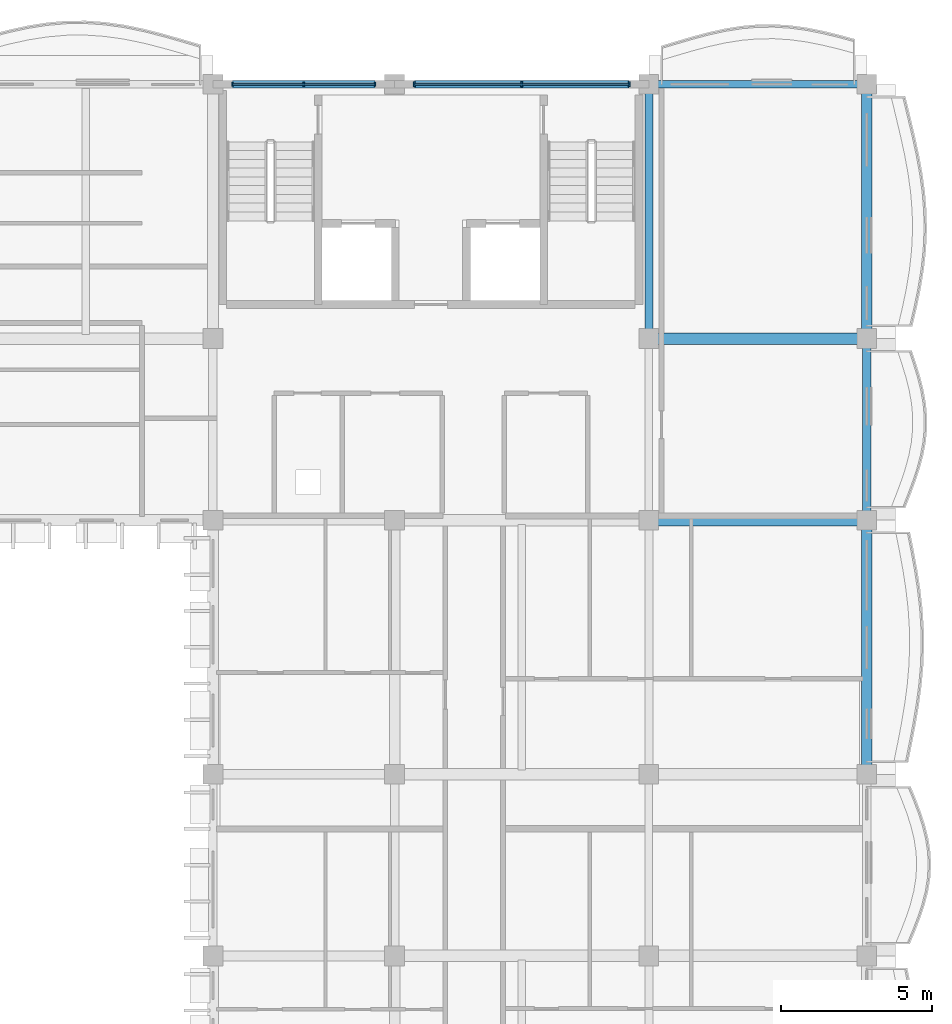
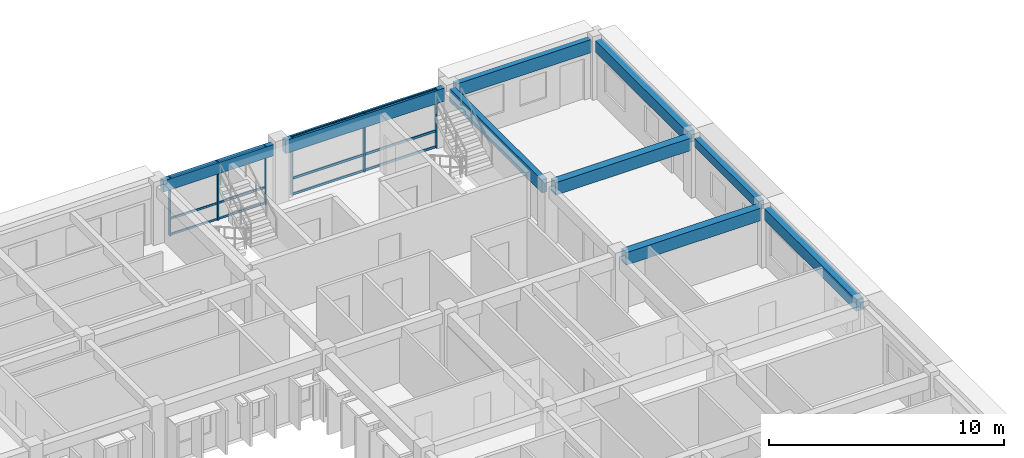
# One storey, part 31 of 101: 12 members, 9 beams, 2 elements without a shape of their own.
"""IFC4 building model written with IfcOpenShell, lengths in metres."""

import ifcopenshell
import ifcopenshell.guid

model = None  # the IFC model being written
_history = None  # IfcOwnerHistory: only IFC2X3 demands one
_inside = {}  # id of a spatial element -> (the spatial element, [elements in it])
_under = {}  # id of a project, library or spatial element -> (it, [spatial elements below it])
_declared = {}  # id of a project -> (the project, [libraries it declares])
_typed = {}  # id of a type object -> (the type object, [elements of that type])
_made_of = {}  # id of a material, layer set ... -> (it, [elements and type objects made of it])


def new_model(schema):
    """Start an empty IFC model of exactly this schema.

    Asked for "IFC4X3", IfcOpenShell would pick the latest addendum, in which some entities
    have other attributes; the version numbers below select the first issue.
    IFC2X3 requires an IfcOwnerHistory on every rooted entity: one is made here for all.
    """
    global model, _history
    if schema == "IFC4X3":
        model = ifcopenshell.file(schema_version=(4, 3, 0, 0))
    else:
        model = ifcopenshell.file(schema=schema)
    _inside.clear()
    _under.clear()
    _declared.clear()
    _typed.clear()
    _made_of.clear()
    _history = None
    if model.schema == "IFC2X3":
        org = make("IfcOrganization", Name="unknown")
        user = make(
            "IfcPersonAndOrganization",
            ThePerson=make("IfcPerson", FamilyName="unknown"),
            TheOrganization=org,
        )
        app = make(
            "IfcApplication",
            ApplicationDeveloper=org,
            Version="unknown",
            ApplicationFullName="unknown",
            ApplicationIdentifier="unknown",
        )
        _history = make(
            "IfcOwnerHistory",
            OwningUser=user,
            OwningApplication=app,
            ChangeAction="ADDED",
            CreationDate=0,
        )
    return model


def make(cls, **values):
    """One entity of the class cls with the attributes given. An attribute that is None is left unset."""
    return model.create_entity(
        cls, **{name: value for name, value in values.items() if value is not None}
    )


def rooted(cls, **values):
    """An entity with a GlobalId (a new one), such as an element, a storey or a relation."""
    return make(cls, GlobalId=ifcopenshell.guid.new(), OwnerHistory=_history, **values)


def si_unit(unit_type, name, prefix=None):
    """IfcSIUnit, for example si_unit("LENGTHUNIT", "METRE", prefix="MILLI")."""
    return make("IfcSIUnit", UnitType=unit_type, Prefix=prefix, Name=name)


def assignment(units):
    """IfcUnitAssignment: the units of a project."""
    return None if units is None else make("IfcUnitAssignment", Units=units)


def point(xyz):
    """IfcCartesianPoint."""
    return None if xyz is None else make("IfcCartesianPoint", Coordinates=xyz)


def direction(xyz):
    """IfcDirection."""
    return None if xyz is None else make("IfcDirection", DirectionRatios=xyz)


def frame(location, z_axis=None, x_axis=None):
    """IfcAxis2Placement3D, a coordinate frame: its origin and axes. An axis left out is left unset."""
    return make(
        "IfcAxis2Placement3D",
        Location=point(location),
        Axis=direction(z_axis),
        RefDirection=direction(x_axis),
    )


def frame_2d(location, x_axis=None):
    """IfcAxis2Placement2D, a coordinate frame in the plane: its origin and x axis."""
    return make(
        "IfcAxis2Placement2D", Location=point(location), RefDirection=direction(x_axis)
    )


def origin():
    """The frame at (0, 0, 0) with its axes left unset."""
    return frame((0.0, 0.0, 0.0))


def origin_2d():
    """The frame at (0, 0) in the plane with its x axis left unset."""
    return frame_2d((0.0, 0.0))


def place(relative_to, where):
    """IfcLocalPlacement: puts the frame where relative to a parent placement (None: the world)."""
    return make(
        "IfcLocalPlacement", PlacementRelTo=relative_to, RelativePlacement=where
    )


def context(
    kind, dimensions, precision=None, world=None, true_north=None, identifier=None
):
    """IfcGeometricRepresentationContext, for example the 3D "Model" context."""
    return make(
        "IfcGeometricRepresentationContext",
        ContextIdentifier=identifier,
        ContextType=kind,
        CoordinateSpaceDimension=dimensions,
        Precision=precision,
        WorldCoordinateSystem=world,
        TrueNorth=true_north,
    )


def subcontext(parent, identifier, kind, view, scale=None):
    """IfcGeometricRepresentationSubContext, for example "Body" below "Model"."""
    return make(
        "IfcGeometricRepresentationSubContext",
        ContextIdentifier=identifier,
        ContextType=kind,
        ParentContext=parent,
        TargetScale=scale,
        TargetView=view,
    )


def project(units=None, contexts=None):
    """IfcProject with its units and contexts."""
    return rooted(
        "IfcProject",
        Name="project",
        RepresentationContexts=contexts,
        UnitsInContext=assignment(units),
    )


def spatial(cls, under=None, at=None, **own):
    """A site, building, storey or space (cls), placed at a placement, below another one or the project."""
    s = rooted(cls, ObjectPlacement=at, **own)
    if under is not None:
        _under.setdefault(under.id(), (under, []))[1].append(s)
    return s


def profile(cls, at=None, kind="AREA", **sizes):
    """A parametric profile (cls). Its sizes go by their IFC names, for example OverallWidth=200.0."""
    return make(cls, ProfileType=kind, Position=at, **sizes)


def rectangle(**sizes):
    """IfcRectangleProfileDef."""
    return profile("IfcRectangleProfileDef", **sizes)


def extrude(swept, where, along, depth):
    """IfcExtrudedAreaSolid: the profile swept, set in the frame where, extruded along a direction by depth."""
    return make(
        "IfcExtrudedAreaSolid",
        SweptArea=swept,
        Position=where,
        ExtrudedDirection=direction(along),
        Depth=depth,
    )


def shape(context_of_items, identifier, shape_type, items):
    """IfcShapeRepresentation: the items that make up one representation, for example the "Body"."""
    return make(
        "IfcShapeRepresentation",
        ContextOfItems=context_of_items,
        RepresentationIdentifier=identifier,
        RepresentationType=shape_type,
        Items=items,
    )


def material(Name=None, Category=None):
    """IfcMaterial."""
    return make("IfcMaterial", Name=Name, Category=Category)


def material_profile(
    of_material, cross_section, Name=None, Category=None, Priority=None
):
    """IfcMaterialProfile: a cross section and its material."""
    return make(
        "IfcMaterialProfile",
        Name=Name,
        Material=of_material,
        Profile=cross_section,
        Priority=Priority,
        Category=Category,
    )


def profile_set(profiles, Name=None, composite=None):
    """IfcMaterialProfileSet."""
    return make(
        "IfcMaterialProfileSet",
        Name=Name,
        MaterialProfiles=profiles,
        CompositeProfile=composite,
    )


def made_of(thing, what):
    """Note that an element or type object is made of a material, layer set ...; save() writes the relation."""
    if what is not None:
        _made_of.setdefault(what.id(), (what, []))[1].append(thing)
    return thing


def type_object(cls, material=None, **own):
    """A type object (cls), such as IfcWallType, which elements share."""
    return made_of(rooted(cls, **own), material)


def element(
    cls,
    number,
    at=None,
    inside=None,
    cuts=None,
    type_object=None,
    material=None,
    context=None,
    identifier="Body",
    shape_type=None,
    held_by="IfcProductDefinitionShape",
    body=None,
    shapes=None,
    **own,
):
    """One element of the class cls, such as IfcWall. Its Tag is "e" and its number.

    at: its placement. inside: the storey or other place that contains it. cuts: it is an
    opening in that element (IfcRelVoidsElement). A single representation is given by context,
    identifier, shape_type and body (its items); several are given by shapes. held_by: the class
    of the entity that holds the representations. save() writes the other relations.
    """
    e = rooted(cls, Tag="e%d" % number, ObjectPlacement=at, **own)
    if body is not None:
        shapes = [shape(context, identifier, shape_type, body)]
    if shapes is not None:
        e.Representation = make(held_by, Representations=shapes)
    if inside is not None:
        _inside.setdefault(inside.id(), (inside, []))[1].append(e)
    if cuts is not None:
        rooted(
            "IfcRelVoidsElement", RelatingBuildingElement=cuts, RelatedOpeningElement=e
        )
    if type_object is not None:
        _typed.setdefault(type_object.id(), (type_object, []))[1].append(e)
    return made_of(e, material)


def aggregate(whole, parts):
    """IfcRelAggregates: a whole, such as a stair, and the parts it consists of."""
    return rooted("IfcRelAggregates", RelatingObject=whole, RelatedObjects=parts)


def save(model, path):
    """Write the relations noted so far, then the file.

    IfcRelAggregates (storeys below a building ...), IfcRelContainedInSpatialStructure (elements
    in a storey), IfcRelDefinesByType, IfcRelAssociatesMaterial and IfcRelDeclares: one each for
    every whole, place, type object, material and project.
    """
    for whole, parts in _under.values():
        aggregate(whole, parts)
    for where, things in _inside.values():
        rooted(
            "IfcRelContainedInSpatialStructure",
            RelatedElements=things,
            RelatingStructure=where,
        )
    for kind, things in _typed.values():
        rooted("IfcRelDefinesByType", RelatedObjects=things, RelatingType=kind)
    for what, things in _made_of.values():
        rooted("IfcRelAssociatesMaterial", RelatedObjects=things, RelatingMaterial=what)
    for by, libraries in _declared.values():
        rooted("IfcRelDeclares", RelatingContext=by, RelatedDefinitions=libraries)
    model.write(path)


model = new_model("IFC4")

# Units and contexts
model_context = context("Model", 3, precision=1e-05, world=origin(), true_north=direction((0.0, 1.0)))
body_context = subcontext(model_context, "Body", "Model", "MODEL_VIEW")
ifc_project = project(units=[si_unit("LENGTHUNIT", "METRE"), si_unit("AREAUNIT", "SQUARE_METRE"), si_unit("VOLUMEUNIT", "CUBIC_METRE"), si_unit("PLANEANGLEUNIT", "RADIAN"), si_unit("MASSUNIT", "GRAM", prefix="KILO"), si_unit("THERMODYNAMICTEMPERATUREUNIT", "KELVIN")], contexts=[model_context])

# Site, building, storey
site_placement = place(None, origin())
site = spatial("IfcSite", under=ifc_project, at=site_placement, CompositionType="ELEMENT")
building_placement = place(site_placement, origin())
building = spatial("IfcBuilding", under=site, at=building_placement, Name="Thalorik Housing Commons", CompositionType="ELEMENT")
storey_placement = place(building_placement, frame((0.0, 0.0, 8.10009765625)))
storey = spatial("IfcBuildingStorey", under=building, at=storey_placement, Name="L02", CompositionType="ELEMENT", Elevation=8.10009765625)

# Curtain wall, members
ifc_material_1 = material(Name="Anodised aluminium and solar-control low-E glass", Category="aluminium")
curtain_wall_type = type_object("IfcCurtainWallType", Name="ARC-CW-CORE", PredefinedType="USERDEFINED", material=ifc_material_1)
curtain_wall_1_placement = place(storey_placement, origin())
curtain_wall_1 = element("IfcCurtainWall", 1, at=curtain_wall_1_placement, inside=storey, type_object=curtain_wall_type, Name="L02 Curtain Wall CW-CORE-L02-B-080", ObjectType="CURTAIN WALL", PredefinedType="USERDEFINED")
ifc_material_2 = material(Name="Anodised aluminium 6063-T6", Category="aluminium")
ifc_material_profile_1 = material_profile(ifc_material_2, rectangle(XDim=0.054931640625, YDim=0.139892578125, at=origin_2d()), Name="ALU MUL 55x140", Category="aluminium")
ifc_profile_set_1 = profile_set([ifc_material_profile_1], Name="Anodised aluminium 6063-T6")
member_type_1 = type_object("IfcMemberType", Name="ARC-CW-MUL-55x140", PredefinedType="MULLION", material=ifc_profile_set_1)
member_1_placement = place(storey_placement, frame((157.75, 123.60009765625, 0.0), z_axis=(0.0, 0.0, 1.0), x_axis=(-1.0, 0.0, 0.0)))
member_1 = element("IfcMember", 2, at=member_1_placement, type_object=member_type_1, Name="CW-CORE-L02-B-080 Mullion 1", PredefinedType="MULLION", context=body_context, shape_type="SweptSolid", body=[
    extrude(rectangle(XDim=0.054931640625, YDim=0.139892578125, at=origin_2d()), origin(), (0.0, 0.0, 1.0), 3.039794921875),
])
member_2_placement = place(storey_placement, frame((155.39990234375, 123.60009765625, 0.0), z_axis=(0.0, 0.0, 1.0), x_axis=(-1.0, 0.0, 0.0)))
member_2 = element("IfcMember", 3, at=member_2_placement, type_object=member_type_1, Name="CW-CORE-L02-B-080 Mullion 2", PredefinedType="MULLION", context=body_context, shape_type="SweptSolid", body=[
    extrude(rectangle(XDim=0.054931640625, YDim=0.139892578125, at=origin_2d()), origin(), (0.0, 0.0, 1.0), 3.039794921875),
])
member_3_placement = place(storey_placement, frame((153.050048828125, 123.60009765625, 0.0), z_axis=(0.0, 0.0, 1.0), x_axis=(-1.0, 0.0, 0.0)))
member_3 = element("IfcMember", 4, at=member_3_placement, type_object=member_type_1, Name="CW-CORE-L02-B-080 Mullion 3", PredefinedType="MULLION", context=body_context, shape_type="SweptSolid", body=[
    extrude(rectangle(XDim=0.054931640625, YDim=0.139892578125, at=origin_2d()), origin(), (0.0, 0.0, 1.0), 3.039794921875),
])

curtain_wall_2_placement = place(storey_placement, origin())
curtain_wall_2 = element("IfcCurtainWall", 5, at=curtain_wall_2_placement, inside=storey, type_object=curtain_wall_type, Name="L02 Curtain Wall CW-CORE-L02-B-079", ObjectType="CURTAIN WALL", PredefinedType="USERDEFINED")
ifc_material_profile_2 = material_profile(ifc_material_2, rectangle(XDim=0.06005859375, YDim=0.159912109375, at=origin_2d()), Name="ALU MUL 60x160", Category="aluminium")
ifc_profile_set_2 = profile_set([ifc_material_profile_2], Name="Anodised aluminium 6063-T6")
member_type_2 = type_object("IfcMemberType", Name="ARC-CW-MUL-60x160", PredefinedType="MULLION", material=ifc_profile_set_2)
member_4_placement = place(storey_placement, frame((166.14990234375, 123.60009765625, 0.0), z_axis=(0.0, 0.0, 1.0), x_axis=(-1.0, 0.0, 0.0)))
member_4 = element("IfcMember", 6, at=member_4_placement, type_object=member_type_2, Name="CW-CORE-L02-B-079 Mullion 1", PredefinedType="MULLION", context=body_context, shape_type="SweptSolid", body=[
    extrude(rectangle(XDim=0.06005859375, YDim=0.159912109375, at=origin_2d()), origin(), (0.0, 0.0, 1.0), 3.039794921875),
])
member_5_placement = place(storey_placement, frame((162.60009765625, 123.60009765625, 0.0), z_axis=(0.0, 0.0, 1.0), x_axis=(-1.0, 0.0, 0.0)))
member_5 = element("IfcMember", 7, at=member_5_placement, type_object=member_type_2, Name="CW-CORE-L02-B-079 Mullion 2", PredefinedType="MULLION", context=body_context, shape_type="SweptSolid", body=[
    extrude(rectangle(XDim=0.06005859375, YDim=0.159912109375, at=origin_2d()), origin(), (0.0, 0.0, 1.0), 3.039794921875),
])
member_6_placement = place(storey_placement, frame((159.050048828125, 123.60009765625, 0.0), z_axis=(0.0, 0.0, 1.0), x_axis=(-1.0, 0.0, 0.0)))
member_6 = element("IfcMember", 8, at=member_6_placement, type_object=member_type_2, Name="CW-CORE-L02-B-079 Mullion 3", PredefinedType="MULLION", context=body_context, shape_type="SweptSolid", body=[
    extrude(rectangle(XDim=0.06005859375, YDim=0.159912109375, at=origin_2d()), origin(), (0.0, 0.0, 1.0), 3.039794921875),
])

# Member
ifc_material_profile_3 = material_profile(ifc_material_2, rectangle(XDim=0.054931640625, YDim=0.10498046875, at=origin_2d()), Name="ALU TRN 55x105", Category="aluminium")
ifc_profile_set_3 = profile_set([ifc_material_profile_3], Name="Anodised aluminium 6063-T6")
member_type_3 = type_object("IfcMemberType", Name="ARC-CW-TRN-55x105", PredefinedType="USERDEFINED", material=ifc_profile_set_3)
member_7_placement = place(storey_placement, frame((157.75, 123.60009765625, 0.054931640625), z_axis=(-1.0, 0.0, 0.0), x_axis=(0.0, -1.0, 0.0)))
member_7 = element("IfcMember", 9, at=member_7_placement, type_object=member_type_3, Name="CW-CORE-L02-B-080 Transom 1", ObjectType="TRANSOM", PredefinedType="USERDEFINED", context=body_context, shape_type="SweptSolid", body=[
    extrude(rectangle(XDim=0.054931640625, YDim=0.10498046875, at=origin_2d()), origin(), (0.0, 0.0, 1.0), 4.699951171875),
])

member_8_placement = place(storey_placement, frame((157.75, 123.60009765625, 0.8798828125), z_axis=(-1.0, 0.0, 0.0), x_axis=(0.0, -1.0, 0.0)))
member_8 = element("IfcMember", 10, at=member_8_placement, type_object=member_type_3, Name="CW-CORE-L02-B-080 Transom 2", ObjectType="TRANSOM", PredefinedType="USERDEFINED", context=body_context, shape_type="SweptSolid", body=[
    extrude(rectangle(XDim=0.054931640625, YDim=0.10498046875, at=origin_2d()), origin(), (0.0, 0.0, 1.0), 4.699951171875),
])

member_9_placement = place(storey_placement, frame((157.75, 123.60009765625, 2.98486328125), z_axis=(-1.0, 0.0, 0.0), x_axis=(0.0, -1.0, 0.0)))
member_9 = element("IfcMember", 11, at=member_9_placement, type_object=member_type_3, Name="CW-CORE-L02-B-080 Transom 3", ObjectType="TRANSOM", PredefinedType="USERDEFINED", context=body_context, shape_type="SweptSolid", body=[
    extrude(rectangle(XDim=0.054931640625, YDim=0.10498046875, at=origin_2d()), origin(), (0.0, 0.0, 1.0), 4.699951171875),
])

aggregate(curtain_wall_1, [member_1, member_2, member_3, member_7, member_8, member_9])

ifc_material_profile_4 = material_profile(ifc_material_2, rectangle(XDim=0.06005859375, YDim=0.1201171875, at=origin_2d()), Name="ALU TRN 60x120", Category="aluminium")
ifc_profile_set_4 = profile_set([ifc_material_profile_4], Name="Anodised aluminium 6063-T6")
member_type_4 = type_object("IfcMemberType", Name="ARC-CW-TRN-60x120", PredefinedType="USERDEFINED", material=ifc_profile_set_4)
member_10_placement = place(storey_placement, frame((166.14990234375, 123.60009765625, 0.054931640625), z_axis=(-1.0, 0.0, 0.0), x_axis=(0.0, -1.0, 0.0)))
member_10 = element("IfcMember", 12, at=member_10_placement, type_object=member_type_4, Name="CW-CORE-L02-B-079 Transom 1", ObjectType="TRANSOM", PredefinedType="USERDEFINED", context=body_context, shape_type="SweptSolid", body=[
    extrude(rectangle(XDim=0.06005859375, YDim=0.1201171875, at=origin_2d()), origin(), (0.0, 0.0, 1.0), 7.099853515625),
])

member_11_placement = place(storey_placement, frame((166.14990234375, 123.60009765625, 0.8798828125), z_axis=(-1.0, 0.0, 0.0), x_axis=(0.0, -1.0, 0.0)))
member_11 = element("IfcMember", 13, at=member_11_placement, type_object=member_type_4, Name="CW-CORE-L02-B-079 Transom 2", ObjectType="TRANSOM", PredefinedType="USERDEFINED", context=body_context, shape_type="SweptSolid", body=[
    extrude(rectangle(XDim=0.06005859375, YDim=0.1201171875, at=origin_2d()), origin(), (0.0, 0.0, 1.0), 7.099853515625),
])

member_12_placement = place(storey_placement, frame((166.14990234375, 123.60009765625, 2.98486328125), z_axis=(-1.0, 0.0, 0.0), x_axis=(0.0, -1.0, 0.0)))
member_12 = element("IfcMember", 14, at=member_12_placement, type_object=member_type_4, Name="CW-CORE-L02-B-079 Transom 3", ObjectType="TRANSOM", PredefinedType="USERDEFINED", context=body_context, shape_type="SweptSolid", body=[
    extrude(rectangle(XDim=0.06005859375, YDim=0.1201171875, at=origin_2d()), origin(), (0.0, 0.0, 1.0), 7.099853515625),
])

aggregate(curtain_wall_2, [member_4, member_5, member_6, member_10, member_11, member_12])

# Beams
ifc_material_3 = material(Name="Precast concrete C40/50", Category="concrete")
ifc_material_profile_5 = material_profile(ifc_material_3, rectangle(XDim=0.280029296875, YDim=0.449951171875, at=origin_2d()), Name="PC 280x450", Category="concrete")
ifc_profile_set_5 = profile_set([ifc_material_profile_5], Name="Precast concrete C40/50")
beam_type_1 = type_object("IfcBeamType", Name="STR-BM-PC280x450", PredefinedType="BEAM", material=ifc_profile_set_5)
beam_1_placement = place(storey_placement, frame((174.0, 109.47509765625, 2.81494140625), z_axis=(0.0, 1.0, 0.0), x_axis=(-1.0, 0.0, 0.0)))
element("IfcBeam", 15, at=beam_1_placement, inside=storey, type_object=beam_type_1, Name="L02 Beam B-450", PredefinedType="BEAM", context=body_context, shape_type="SweptSolid", body=[
    extrude(rectangle(XDim=0.280029296875, YDim=0.449951171875, at=origin_2d()), origin(), (0.0, 0.0, 1.0), 5.449951171875),
])
ifc_material_profile_6 = material_profile(ifc_material_3, rectangle(XDim=0.35009765625, YDim=0.60009765625, at=origin_2d()), Name="PC 350x600", Category="concrete")
ifc_profile_set_6 = profile_set([ifc_material_profile_6], Name="Precast concrete C40/50")
beam_type_2 = type_object("IfcBeamType", Name="STR-BM-PC350x600", PredefinedType="BEAM", material=ifc_profile_set_6)
beam_2_placement = place(storey_placement, frame((174.0, 101.074951171875, 2.739990234375), z_axis=(0.0, 1.0, 0.0), x_axis=(-1.0, 0.0, 0.0)))
element("IfcBeam", 16, at=beam_2_placement, inside=storey, type_object=beam_type_2, Name="L02 Beam B-600", PredefinedType="BEAM", context=body_context, shape_type="SweptSolid", body=[
    extrude(rectangle(XDim=0.35009765625, YDim=0.60009765625, at=origin_2d()), origin(), (0.0, 0.0, 1.0), 7.85009765625),
])
beam_3_placement = place(storey_placement, frame((174.0, 115.47509765625, 2.739990234375), z_axis=(0.0, 1.0, 0.0), x_axis=(-1.0, 0.0, 0.0)))
element("IfcBeam", 17, at=beam_3_placement, inside=storey, type_object=beam_type_2, Name="L02 Beam B-600", PredefinedType="BEAM", context=body_context, shape_type="SweptSolid", body=[
    extrude(rectangle(XDim=0.35009765625, YDim=0.60009765625, at=origin_2d()), origin(), (0.0, 0.0, 1.0), 7.849853515625),
])
ifc_material_profile_7 = material_profile(ifc_material_3, rectangle(XDim=0.3798828125, YDim=0.64990234375, at=origin_2d()), Name="PC 380x650", Category="concrete")
ifc_profile_set_7 = profile_set([ifc_material_profile_7], Name="Precast concrete C40/50")
beam_type_3 = type_object("IfcBeamType", Name="STR-BM-PC380x650", PredefinedType="BEAM", material=ifc_profile_set_7)
for number, where, z_axis, x_axis, name in (
    (18, (167.074951171875, 109.199951171875, 2.71484375), (1.0, 0.0, 0.0), (0.0, 1.0, 0.0), "L02 Beam B-650"),
    (19, (167.074951171875, 115.199951171875, 2.71484375), (1.0, 0.0, 0.0), (0.0, 1.0, 0.0), "L02 Beam B-650"),
):
    element("IfcBeam", number, at=place(storey_placement, frame(where, z_axis=z_axis, x_axis=x_axis)), inside=storey, type_object=beam_type_3, Name=name, PredefinedType="BEAM", context=body_context, shape_type="SweptSolid", body=[
        extrude(rectangle(XDim=0.3798828125, YDim=0.64990234375, at=origin_2d()), origin(), (0.0, 0.0, 1.0), 6.650146484375),
    ])
ifc_material_profile_8 = material_profile(ifc_material_3, rectangle(XDim=0.239990234375, YDim=0.580078125, at=origin_2d()), Name="PC SP 240x580", Category="concrete")
ifc_profile_set_8 = profile_set([ifc_material_profile_8], Name="Precast concrete C40/50")
beam_type_4 = type_object("IfcBeamType", Name="STR-SP-PC240x580", PredefinedType="SPANDREL", material=ifc_profile_set_8)
beam_4_placement = place(storey_placement, frame((152.675048828125, 123.60009765625, 2.75), z_axis=(1.0, 0.0, 0.0), x_axis=(0.0, 1.0, 0.0)))
element("IfcBeam", 20, at=beam_4_placement, inside=storey, type_object=beam_type_4, Name="L02 Beam B-550", PredefinedType="SPANDREL", context=body_context, shape_type="SweptSolid", body=[
    extrude(rectangle(XDim=0.239990234375, YDim=0.580078125, at=origin_2d()), origin(), (0.0, 0.0, 1.0), 5.449951171875),
])
ifc_material_profile_9 = material_profile(ifc_material_3, rectangle(XDim=0.260009765625, YDim=0.679931640625, at=origin_2d()), Name="PC SP 260x680", Category="concrete")
ifc_profile_set_9 = profile_set([ifc_material_profile_9], Name="Precast concrete C40/50")
beam_type_5 = type_object("IfcBeamType", Name="STR-SP-PC260x680", PredefinedType="SPANDREL", material=ifc_profile_set_9)
beam_5_placement = place(storey_placement, frame((158.675048828125, 123.60009765625, 2.699951171875), z_axis=(1.0, 0.0, 0.0), x_axis=(0.0, 1.0, 0.0)))
element("IfcBeam", 21, at=beam_5_placement, inside=storey, type_object=beam_type_5, Name="L02 Beam B-650", PredefinedType="SPANDREL", context=body_context, shape_type="SweptSolid", body=[
    extrude(rectangle(XDim=0.260009765625, YDim=0.679931640625, at=origin_2d()), origin(), (0.0, 0.0, 1.0), 7.849853515625),
])
beam_6_placement = place(storey_placement, frame((167.074951171875, 123.60009765625, 2.699951171875), z_axis=(1.0, 0.0, 0.0), x_axis=(0.0, 1.0, 0.0)))
element("IfcBeam", 22, at=beam_6_placement, inside=storey, type_object=beam_type_5, Name="L02 Beam B-650", PredefinedType="SPANDREL", context=body_context, shape_type="SweptSolid", body=[
    extrude(rectangle(XDim=0.260009765625, YDim=0.679931640625, at=origin_2d()), origin(), (0.0, 0.0, 1.0), 6.650146484375),
])
beam_7_placement = place(storey_placement, frame((166.800048828125, 115.47509765625, 2.699951171875), z_axis=(0.0, 1.0, 0.0), x_axis=(-1.0, 0.0, 0.0)))
element("IfcBeam", 23, at=beam_7_placement, inside=storey, type_object=beam_type_5, Name="L02 Beam B-600", PredefinedType="SPANDREL", context=body_context, shape_type="SweptSolid", body=[
    extrude(rectangle(XDim=0.260009765625, YDim=0.679931640625, at=origin_2d()), origin(), (0.0, 0.0, 1.0), 7.849853515625),
])

save(model, "model.ifc")
